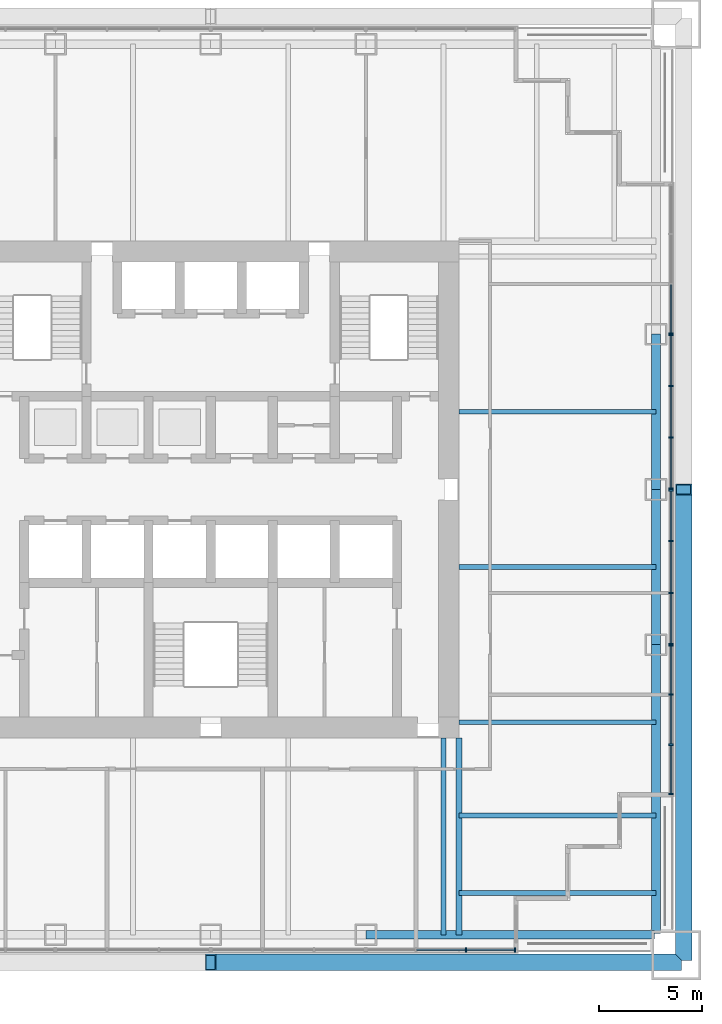
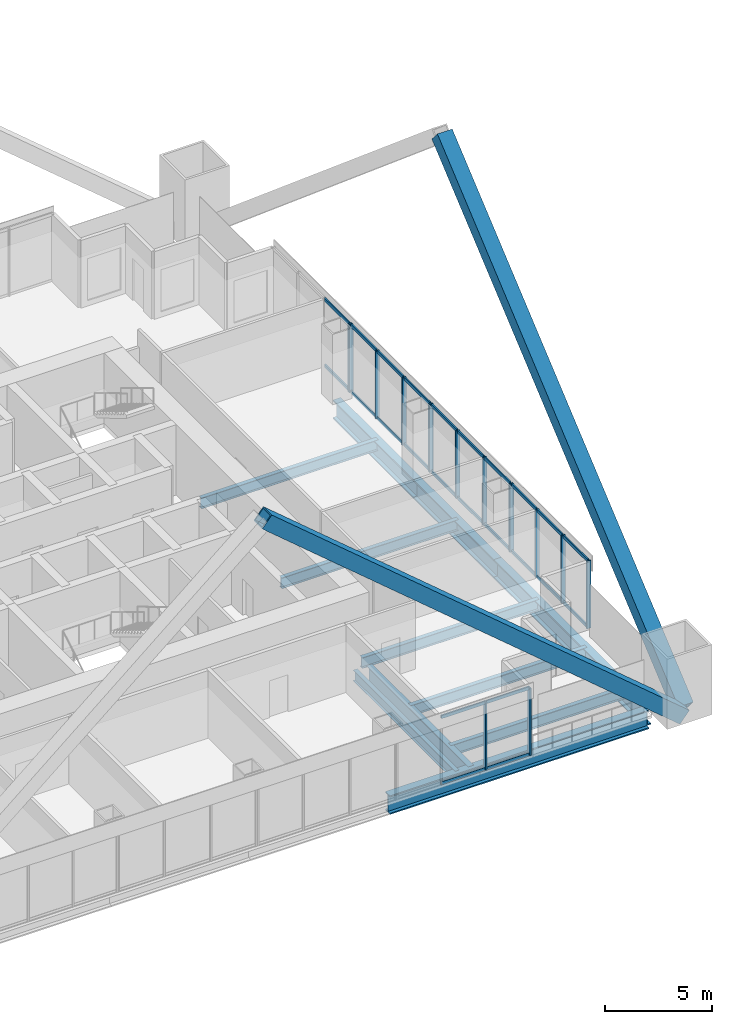
# One storey, part 4 of 14: 41 members, 11 beams, 5 elements without a shape of their own.
"""IFC4 building model written with IfcOpenShell, lengths in metres."""

from ifc_helpers import new_model, si_unit, direction, frame, origin, origin_2d, place, context, subcontext, project, spatial, rectangle, hollow_rectangle, i_section, extrude, material, material_profile, profile_set, type_object, element, aggregate, save


model = new_model("IFC4")

# Units and contexts
model_context = context("Model", 3, precision=1e-05, world=origin(), true_north=direction((0.0, 1.0)))
body_context = subcontext(model_context, "Body", "Model", "MODEL_VIEW")
ifc_project = project(units=[si_unit("LENGTHUNIT", "METRE"), si_unit("AREAUNIT", "SQUARE_METRE"), si_unit("VOLUMEUNIT", "CUBIC_METRE"), si_unit("PLANEANGLEUNIT", "RADIAN"), si_unit("MASSUNIT", "GRAM", prefix="KILO")], contexts=[model_context])

# Site, building, storey
site_placement = place(None, origin())
site = spatial("IfcSite", under=ifc_project, at=site_placement, CompositionType="ELEMENT")
building_placement = place(site_placement, origin())
building = spatial("IfcBuilding", under=site, at=building_placement, Name="Tarangal Relay Tower", CompositionType="ELEMENT")
storey_placement = place(building_placement, frame((0.0, 0.0, 177.89990234375)))
storey = spatial("IfcBuildingStorey", under=building, at=storey_placement, Name="L36", CompositionType="ELEMENT", Elevation=177.89990234375)

# Beams
ifc_material_1 = material(Name="Steel ASTM A992", Category="steel")
ifc_material_profile_1 = material_profile(ifc_material_1, i_section(OverallWidth=0.23046875, OverallDepth=0.6171875, WebThickness=0.01318359375, FlangeThickness=0.022216796875, at=origin_2d()), Name="W24X94")
ifc_profile_set_1 = profile_set([ifc_material_profile_1], Name="Steel ASTM A992")
beam_type_1 = type_object("IfcBeamType", Name="Corner beam W24X94", PredefinedType="JOIST", material=ifc_profile_set_1)
for number, where, z_axis, x_axis, name in (
    (1, (12.0, -15.75, -0.45849609375), (1.0, 0.0, 0.0), (0.0, 1.0, 0.0), "Corner beam CB14 E L36"),
    (2, (12.0, -19.5, -0.45849609375), (1.0, 0.0, 0.0), (0.0, 1.0, 0.0), "Corner beam CB14 E L36"),
):
    element("IfcBeam", number, at=place(storey_placement, frame(where, z_axis=z_axis, x_axis=x_axis)), inside=storey, type_object=beam_type_1, Name=name, PredefinedType="JOIST", context=body_context, shape_type="SweptSolid", body=[
        extrude(i_section(OverallWidth=0.23046875, OverallDepth=0.6171875, WebThickness=0.01318359375, FlangeThickness=0.022216796875, at=origin_2d()), origin(), (0.0, 0.0, 1.0), 9.514892578125),
    ])
ifc_material_profile_2 = material_profile(ifc_material_1, i_section(OverallWidth=0.307373046875, OverallDepth=0.9423828125, WebThickness=0.022216796875, FlangeThickness=0.039794921875, at=origin_2d()), Name="W36X232")
ifc_profile_set_2 = profile_set([ifc_material_profile_2], Name="Steel ASTM A992")
beam_type_2 = type_object("IfcBeamType", Name="Corner girder W36X232", PredefinedType="BEAM", material=ifc_profile_set_2)
beam_placement = place(storey_placement, frame((12.0, -12.0, -0.62109375), z_axis=(0.0, -1.0, 0.0), x_axis=(1.0, 0.0, 0.0)))
element("IfcBeam", 3, at=beam_placement, inside=storey, type_object=beam_type_2, Name="Corner girder CG4 E L36", PredefinedType="BEAM", context=body_context, shape_type="SweptSolid", body=[
    extrude(i_section(OverallWidth=0.307373046875, OverallDepth=0.9423828125, WebThickness=0.022216796875, FlangeThickness=0.039794921875, at=origin_2d()), origin(), (0.0, 0.0, 1.0), 9.514892578125),
])
ifc_material_profile_3 = material_profile(ifc_material_1, i_section(OverallWidth=0.41650390625, OverallDepth=1.0693359375, WebThickness=0.0390625, FlangeThickness=0.070068359375, at=origin_2d()), Name="W40X503")
ifc_profile_set_3 = profile_set([ifc_material_profile_3], Name="Steel ASTM A992")
beam_type_3 = type_object("IfcBeamType", Name="Edge girder W40X503", PredefinedType="SPANDREL", material=ifc_profile_set_3)
for number, where, z_axis, x_axis, name in (
    (4, (21.514892578125, 7.5, -0.6845703125), (0.0, -1.0, 0.0), (1.0, 0.0, 0.0), "Edge girder EG8 E L36"),
    (5, (21.514892578125, 0.0, -0.6845703125), (0.0, -1.0, 0.0), (1.0, 0.0, 0.0), "Edge girder EG8 E L36"),
):
    element("IfcBeam", number, at=place(storey_placement, frame(where, z_axis=z_axis, x_axis=x_axis)), inside=storey, type_object=beam_type_3, Name=name, PredefinedType="SPANDREL", context=body_context, shape_type="SweptSolid", body=[
        extrude(i_section(OverallWidth=0.41650390625, OverallDepth=1.0693359375, WebThickness=0.0390625, FlangeThickness=0.070068359375, at=origin_2d()), origin(), (0.0, 0.0, 1.0), 7.5),
    ])
for number, where, z_axis, x_axis, name in (
    (6, (21.514892578125, -7.5, -0.6845703125), (0.0, -1.0, 0.0), (1.0, 0.0, 0.0), "Edge girder EG8 E L36"),
    (7, (21.449951171875, -21.514892578125, -0.6845703125), (-1.0, 0.0, 0.0), (0.0, -1.0, 0.0), "Edge girder EG8 S L36"),
):
    element("IfcBeam", number, at=place(storey_placement, frame(where, z_axis=z_axis, x_axis=x_axis)), inside=storey, type_object=beam_type_3, Name=name, PredefinedType="SPANDREL", context=body_context, shape_type="SweptSolid", body=[
        extrude(i_section(OverallWidth=0.41650390625, OverallDepth=1.0693359375, WebThickness=0.0390625, FlangeThickness=0.070068359375, at=origin_2d()), origin(), (0.0, 0.0, 1.0), 13.949951171875),
    ])
ifc_material_profile_4 = material_profile(ifc_material_1, i_section(OverallWidth=0.22900390625, OverallDepth=0.612060546875, WebThickness=0.011962890625, FlangeThickness=0.01953125, at=origin_2d()), Name="W24X84")
ifc_profile_set_4 = profile_set([ifc_material_profile_4], Name="Steel ASTM A992")
beam_type_4 = type_object("IfcBeamType", Name="Floor beam W24X84", PredefinedType="BEAM", material=ifc_profile_set_4)
for number, where, z_axis, x_axis, name in (
    (8, (12.0, 3.75, -0.455810546875), (1.0, 0.0, 0.0), (0.0, 1.0, 0.0), "Floor beam RB12 E L36"),
    (9, (12.0, -3.75, -0.455810546875), (1.0, 0.0, 0.0), (0.0, 1.0, 0.0), "Floor beam RB12 E L36"),
    (10, (12.0, -11.25, -0.455810546875), (1.0, 0.0, 0.0), (0.0, 1.0, 0.0), "Floor beam RB12 E L36"),
    (11, (11.25, -12.0, -0.455810546875), (0.0, -1.0, 0.0), (1.0, 0.0, 0.0), "Floor beam RB12 S L36"),
):
    element("IfcBeam", number, at=place(storey_placement, frame(where, z_axis=z_axis, x_axis=x_axis)), inside=storey, type_object=beam_type_4, Name=name, PredefinedType="BEAM", context=body_context, shape_type="SweptSolid", body=[
        extrude(i_section(OverallWidth=0.22900390625, OverallDepth=0.612060546875, WebThickness=0.011962890625, FlangeThickness=0.01953125, at=origin_2d()), origin(), (0.0, 0.0, 1.0), 9.514892578125),
    ])

# Members
ifc_material_2 = material(Name="Steel ASTM A572 Grade 50", Category="steel")
ifc_material_profile_5 = material_profile(ifc_material_2, hollow_rectangle(XDim=0.800048828125, YDim=0.800048828125, WallThickness=0.06494140625, at=origin_2d()), Name="BOX800X800X65")
ifc_profile_set_5 = profile_set([ifc_material_profile_5], Name="Steel ASTM A572 Grade 50")
member_type_1 = type_object("IfcMemberType", Name="Mega brace BOX800X800X65", PredefinedType="BRACE", material=ifc_profile_set_5)
for number, where, z_axis, x_axis, name in (
    (12, (22.85009765625, -22.5, 0.0), (0.0, 0.764029915847, 0.645180817826), (-1.0, 0.0, 0.0), "Mega brace MB3 E face module 1"),
    (13, (22.5, -22.85009765625, 0.0), (-0.764029915847, 0.0, 0.645180817826), (0.0, -1.0, 0.0), "Mega brace MB3 S face module 1"),
):
    element("IfcMember", number, at=place(storey_placement, frame(where, z_axis=z_axis, x_axis=x_axis)), inside=storey, type_object=member_type_1, Name=name, PredefinedType="BRACE", context=body_context, shape_type="SweptSolid", body=[
        extrude(hollow_rectangle(XDim=0.800048828125, YDim=0.800048828125, WallThickness=0.06494140625, at=origin_2d()), origin(), (0.0, 0.0, 1.0), 29.44921875),
    ])

# Curtain wall, member
ifc_material_3 = material(Name="Unitised curtain wall, dark glass and black aluminium", Category="aluminium")
curtain_wall_type = type_object("IfcCurtainWallType", Name="Curtain wall CW-S", PredefinedType="USERDEFINED", material=ifc_material_3)
curtain_wall_1_placement = place(storey_placement, origin())
curtain_wall_1 = element("IfcCurtainWall", 14, at=curtain_wall_1_placement, inside=storey, type_object=curtain_wall_type, Name="Curtain wall CW-S E facade L36", ObjectType="UNITISED CURTAIN WALL", PredefinedType="USERDEFINED")
ifc_material_4 = material(Name="Black anodised aluminium mullion", Category="aluminium")
ifc_material_profile_6 = material_profile(ifc_material_4, rectangle(XDim=0.219970703125, YDim=0.074951171875, at=origin_2d()), Name="CW-SM 75X220")
ifc_profile_set_6 = profile_set([ifc_material_profile_6], Name="Black anodised aluminium mullion")
member_type_2 = type_object("IfcMemberType", Name="Mullion CW-S 75 x 220", PredefinedType="MULLION", material=ifc_profile_set_6)
member_1_placement = place(storey_placement, frame((22.25, 7.53759765625, 0.0), z_axis=(0.0, 0.0, 1.0), x_axis=(1.0, 0.0, 0.0)))
member_1 = element("IfcMember", 15, at=member_1_placement, type_object=member_type_2, Name="CW-S mullion 4", PredefinedType="MULLION", context=body_context, shape_type="SweptSolid", body=[
    extrude(rectangle(XDim=0.219970703125, YDim=0.074951171875, at=origin_2d()), origin(), (0.0, 0.0, 1.0), 3.85009765625),
])

# Curtain wall, members
curtain_wall_2_placement = place(storey_placement, origin())
curtain_wall_2 = element("IfcCurtainWall", 16, at=curtain_wall_2_placement, inside=storey, type_object=curtain_wall_type, Name="Curtain wall CW-S E facade L36", ObjectType="UNITISED CURTAIN WALL", PredefinedType="USERDEFINED")
member_2_placement = place(storey_placement, frame((22.25, 7.46240234375, 0.0), z_axis=(0.0, 0.0, 1.0), x_axis=(1.0, 0.0, 0.0)))
member_2 = element("IfcMember", 17, at=member_2_placement, type_object=member_type_2, Name="CW-S mullion 1", PredefinedType="MULLION", context=body_context, shape_type="SweptSolid", body=[
    extrude(rectangle(XDim=0.219970703125, YDim=0.074951171875, at=origin_2d()), origin(), (0.0, 0.0, 1.0), 3.85009765625),
])
member_3_placement = place(storey_placement, frame((22.25, 5.0, 0.0), z_axis=(0.0, 0.0, 1.0), x_axis=(1.0, 0.0, 0.0)))
member_3 = element("IfcMember", 18, at=member_3_placement, type_object=member_type_2, Name="CW-S mullion 2", PredefinedType="MULLION", context=body_context, shape_type="SweptSolid", body=[
    extrude(rectangle(XDim=0.219970703125, YDim=0.074951171875, at=origin_2d()), origin(), (0.0, 0.0, 1.0), 3.85009765625),
])
member_4_placement = place(storey_placement, frame((22.25, 2.5, 0.0), z_axis=(0.0, 0.0, 1.0), x_axis=(1.0, 0.0, 0.0)))
member_4 = element("IfcMember", 19, at=member_4_placement, type_object=member_type_2, Name="CW-S mullion 3", PredefinedType="MULLION", context=body_context, shape_type="SweptSolid", body=[
    extrude(rectangle(XDim=0.219970703125, YDim=0.074951171875, at=origin_2d()), origin(), (0.0, 0.0, 1.0), 3.85009765625),
])
member_5_placement = place(storey_placement, frame((22.25, 0.03759765625, 0.0), z_axis=(0.0, 0.0, 1.0), x_axis=(1.0, 0.0, 0.0)))
member_5 = element("IfcMember", 20, at=member_5_placement, type_object=member_type_2, Name="CW-S mullion 4", PredefinedType="MULLION", context=body_context, shape_type="SweptSolid", body=[
    extrude(rectangle(XDim=0.219970703125, YDim=0.074951171875, at=origin_2d()), origin(), (0.0, 0.0, 1.0), 3.85009765625),
])

curtain_wall_3_placement = place(storey_placement, origin())
curtain_wall_3 = element("IfcCurtainWall", 21, at=curtain_wall_3_placement, inside=storey, type_object=curtain_wall_type, Name="Curtain wall CW-S E facade L36", ObjectType="UNITISED CURTAIN WALL", PredefinedType="USERDEFINED")
member_6_placement = place(storey_placement, frame((22.25, -0.03759765625, 0.0), z_axis=(0.0, 0.0, 1.0), x_axis=(1.0, 0.0, 0.0)))
member_6 = element("IfcMember", 22, at=member_6_placement, type_object=member_type_2, Name="CW-S mullion 1", PredefinedType="MULLION", context=body_context, shape_type="SweptSolid", body=[
    extrude(rectangle(XDim=0.219970703125, YDim=0.074951171875, at=origin_2d()), origin(), (0.0, 0.0, 1.0), 3.85009765625),
])
member_7_placement = place(storey_placement, frame((22.25, -2.5, 0.0), z_axis=(0.0, 0.0, 1.0), x_axis=(1.0, 0.0, 0.0)))
member_7 = element("IfcMember", 23, at=member_7_placement, type_object=member_type_2, Name="CW-S mullion 2", PredefinedType="MULLION", context=body_context, shape_type="SweptSolid", body=[
    extrude(rectangle(XDim=0.219970703125, YDim=0.074951171875, at=origin_2d()), origin(), (0.0, 0.0, 1.0), 3.85009765625),
])
member_8_placement = place(storey_placement, frame((22.25, -5.0, 0.0), z_axis=(0.0, 0.0, 1.0), x_axis=(1.0, 0.0, 0.0)))
member_8 = element("IfcMember", 24, at=member_8_placement, type_object=member_type_2, Name="CW-S mullion 3", PredefinedType="MULLION", context=body_context, shape_type="SweptSolid", body=[
    extrude(rectangle(XDim=0.219970703125, YDim=0.074951171875, at=origin_2d()), origin(), (0.0, 0.0, 1.0), 3.85009765625),
])
member_9_placement = place(storey_placement, frame((22.25, -7.46240234375, 0.0), z_axis=(0.0, 0.0, 1.0), x_axis=(1.0, 0.0, 0.0)))
member_9 = element("IfcMember", 25, at=member_9_placement, type_object=member_type_2, Name="CW-S mullion 4", PredefinedType="MULLION", context=body_context, shape_type="SweptSolid", body=[
    extrude(rectangle(XDim=0.219970703125, YDim=0.074951171875, at=origin_2d()), origin(), (0.0, 0.0, 1.0), 3.85009765625),
])

curtain_wall_4_placement = place(storey_placement, origin())
curtain_wall_4 = element("IfcCurtainWall", 26, at=curtain_wall_4_placement, inside=storey, type_object=curtain_wall_type, Name="Curtain wall CW-S E facade L36", ObjectType="UNITISED CURTAIN WALL", PredefinedType="USERDEFINED")
member_10_placement = place(storey_placement, frame((22.25, -7.53759765625, 0.0), z_axis=(0.0, 0.0, 1.0), x_axis=(1.0, 0.0, 0.0)))
member_10 = element("IfcMember", 27, at=member_10_placement, type_object=member_type_2, Name="CW-S mullion 1", PredefinedType="MULLION", context=body_context, shape_type="SweptSolid", body=[
    extrude(rectangle(XDim=0.219970703125, YDim=0.074951171875, at=origin_2d()), origin(), (0.0, 0.0, 1.0), 3.85009765625),
])
member_11_placement = place(storey_placement, frame((22.25, -9.916748046875, 0.0), z_axis=(0.0, 0.0, 1.0), x_axis=(1.0, 0.0, 0.0)))
member_11 = element("IfcMember", 28, at=member_11_placement, type_object=member_type_2, Name="CW-S mullion 2", PredefinedType="MULLION", context=body_context, shape_type="SweptSolid", body=[
    extrude(rectangle(XDim=0.219970703125, YDim=0.074951171875, at=origin_2d()), origin(), (0.0, 0.0, 1.0), 3.85009765625),
])
member_12_placement = place(storey_placement, frame((22.25, -12.333251953125, 0.0), z_axis=(0.0, 0.0, 1.0), x_axis=(1.0, 0.0, 0.0)))
member_12 = element("IfcMember", 29, at=member_12_placement, type_object=member_type_2, Name="CW-S mullion 3", PredefinedType="MULLION", context=body_context, shape_type="SweptSolid", body=[
    extrude(rectangle(XDim=0.219970703125, YDim=0.074951171875, at=origin_2d()), origin(), (0.0, 0.0, 1.0), 3.85009765625),
])
member_13_placement = place(storey_placement, frame((22.25, -14.71240234375, 0.0), z_axis=(0.0, 0.0, 1.0), x_axis=(1.0, 0.0, 0.0)))
member_13 = element("IfcMember", 30, at=member_13_placement, type_object=member_type_2, Name="CW-S mullion 4", PredefinedType="MULLION", context=body_context, shape_type="SweptSolid", body=[
    extrude(rectangle(XDim=0.219970703125, YDim=0.074951171875, at=origin_2d()), origin(), (0.0, 0.0, 1.0), 3.85009765625),
])

curtain_wall_5_placement = place(storey_placement, origin())
curtain_wall_5 = element("IfcCurtainWall", 31, at=curtain_wall_5_placement, inside=storey, type_object=curtain_wall_type, Name="Curtain wall CW-S S facade L36", ObjectType="UNITISED CURTAIN WALL", PredefinedType="USERDEFINED")
member_14_placement = place(storey_placement, frame((14.71240234375, -22.25, 0.0), z_axis=(0.0, 0.0, 1.0), x_axis=(0.0, -1.0, 0.0)))
member_14 = element("IfcMember", 32, at=member_14_placement, type_object=member_type_2, Name="CW-S mullion 1", PredefinedType="MULLION", context=body_context, shape_type="SweptSolid", body=[
    extrude(rectangle(XDim=0.219970703125, YDim=0.074951171875, at=origin_2d()), origin(), (0.0, 0.0, 1.0), 3.85009765625),
])
member_15_placement = place(storey_placement, frame((12.333251953125, -22.25, 0.0), z_axis=(0.0, 0.0, 1.0), x_axis=(0.0, -1.0, 0.0)))
member_15 = element("IfcMember", 33, at=member_15_placement, type_object=member_type_2, Name="CW-S mullion 2", PredefinedType="MULLION", context=body_context, shape_type="SweptSolid", body=[
    extrude(rectangle(XDim=0.219970703125, YDim=0.074951171875, at=origin_2d()), origin(), (0.0, 0.0, 1.0), 3.85009765625),
])

# Member
ifc_material_5 = material(Name="Black anodised aluminium transom", Category="aluminium")
ifc_material_profile_7 = material_profile(ifc_material_5, rectangle(XDim=0.074951171875, YDim=0.179931640625, at=origin_2d()), Name="CW-ST 75X180")
ifc_profile_set_7 = profile_set([ifc_material_profile_7], Name="Black anodised aluminium transom")
member_type_3 = type_object("IfcMemberType", Name="Transom CW-S 75 x 180", PredefinedType="USERDEFINED", material=ifc_profile_set_7)
member_16_placement = place(storey_placement, frame((22.25, 9.879150390625, 0.03759765625), z_axis=(0.0, -1.0, 0.0), x_axis=(1.0, 0.0, 0.0)))
member_16 = element("IfcMember", 34, at=member_16_placement, type_object=member_type_3, Name="CW-S transom 3.1", ObjectType="TRANSOM", PredefinedType="USERDEFINED", context=body_context, shape_type="SweptSolid", body=[
    extrude(rectangle(XDim=0.074951171875, YDim=0.179931640625, at=origin_2d()), origin(), (0.0, 0.0, 1.0), 2.30419921875),
])

member_17_placement = place(storey_placement, frame((22.25, 9.879150390625, 3.8125), z_axis=(0.0, -1.0, 0.0), x_axis=(1.0, 0.0, 0.0)))
member_17 = element("IfcMember", 35, at=member_17_placement, type_object=member_type_3, Name="CW-S transom 3.2", ObjectType="TRANSOM", PredefinedType="USERDEFINED", context=body_context, shape_type="SweptSolid", body=[
    extrude(rectangle(XDim=0.074951171875, YDim=0.179931640625, at=origin_2d()), origin(), (0.0, 0.0, 1.0), 2.30419921875),
])

aggregate(curtain_wall_1, [member_1, member_16, member_17])

member_18_placement = place(storey_placement, frame((22.25, 7.425048828125, 0.03759765625), z_axis=(0.0, -1.0, 0.0), x_axis=(1.0, 0.0, 0.0)))
member_18 = element("IfcMember", 36, at=member_18_placement, type_object=member_type_3, Name="CW-S transom 1.1", ObjectType="TRANSOM", PredefinedType="USERDEFINED", context=body_context, shape_type="SweptSolid", body=[
    extrude(rectangle(XDim=0.074951171875, YDim=0.179931640625, at=origin_2d()), origin(), (0.0, 0.0, 1.0), 2.387451171875),
])

member_19_placement = place(storey_placement, frame((22.25, 7.425048828125, 3.8125), z_axis=(0.0, -1.0, 0.0), x_axis=(1.0, 0.0, 0.0)))
member_19 = element("IfcMember", 37, at=member_19_placement, type_object=member_type_3, Name="CW-S transom 1.2", ObjectType="TRANSOM", PredefinedType="USERDEFINED", context=body_context, shape_type="SweptSolid", body=[
    extrude(rectangle(XDim=0.074951171875, YDim=0.179931640625, at=origin_2d()), origin(), (0.0, 0.0, 1.0), 2.387451171875),
])

member_20_placement = place(storey_placement, frame((22.25, 4.96240234375, 0.03759765625), z_axis=(0.0, -1.0, 0.0), x_axis=(1.0, 0.0, 0.0)))
member_20 = element("IfcMember", 38, at=member_20_placement, type_object=member_type_3, Name="CW-S transom 2.1", ObjectType="TRANSOM", PredefinedType="USERDEFINED", context=body_context, shape_type="SweptSolid", body=[
    extrude(rectangle(XDim=0.074951171875, YDim=0.179931640625, at=origin_2d()), origin(), (0.0, 0.0, 1.0), 2.4248046875),
])

member_21_placement = place(storey_placement, frame((22.25, 4.96240234375, 3.8125), z_axis=(0.0, -1.0, 0.0), x_axis=(1.0, 0.0, 0.0)))
member_21 = element("IfcMember", 39, at=member_21_placement, type_object=member_type_3, Name="CW-S transom 2.2", ObjectType="TRANSOM", PredefinedType="USERDEFINED", context=body_context, shape_type="SweptSolid", body=[
    extrude(rectangle(XDim=0.074951171875, YDim=0.179931640625, at=origin_2d()), origin(), (0.0, 0.0, 1.0), 2.4248046875),
])

member_22_placement = place(storey_placement, frame((22.25, 2.46240234375, 0.03759765625), z_axis=(0.0, -1.0, 0.0), x_axis=(1.0, 0.0, 0.0)))
member_22 = element("IfcMember", 40, at=member_22_placement, type_object=member_type_3, Name="CW-S transom 3.1", ObjectType="TRANSOM", PredefinedType="USERDEFINED", context=body_context, shape_type="SweptSolid", body=[
    extrude(rectangle(XDim=0.074951171875, YDim=0.179931640625, at=origin_2d()), origin(), (0.0, 0.0, 1.0), 2.387451171875),
])

member_23_placement = place(storey_placement, frame((22.25, 2.46240234375, 3.8125), z_axis=(0.0, -1.0, 0.0), x_axis=(1.0, 0.0, 0.0)))
member_23 = element("IfcMember", 41, at=member_23_placement, type_object=member_type_3, Name="CW-S transom 3.2", ObjectType="TRANSOM", PredefinedType="USERDEFINED", context=body_context, shape_type="SweptSolid", body=[
    extrude(rectangle(XDim=0.074951171875, YDim=0.179931640625, at=origin_2d()), origin(), (0.0, 0.0, 1.0), 2.387451171875),
])

aggregate(curtain_wall_2, [member_2, member_3, member_4, member_5, member_18, member_19, member_20, member_21, member_22, member_23])

member_24_placement = place(storey_placement, frame((22.25, -0.074951171875, 0.03759765625), z_axis=(0.0, -1.0, 0.0), x_axis=(1.0, 0.0, 0.0)))
member_24 = element("IfcMember", 42, at=member_24_placement, type_object=member_type_3, Name="CW-S transom 1.1", ObjectType="TRANSOM", PredefinedType="USERDEFINED", context=body_context, shape_type="SweptSolid", body=[
    extrude(rectangle(XDim=0.074951171875, YDim=0.179931640625, at=origin_2d()), origin(), (0.0, 0.0, 1.0), 2.387451171875),
])

member_25_placement = place(storey_placement, frame((22.25, -0.074951171875, 3.8125), z_axis=(0.0, -1.0, 0.0), x_axis=(1.0, 0.0, 0.0)))
member_25 = element("IfcMember", 43, at=member_25_placement, type_object=member_type_3, Name="CW-S transom 1.2", ObjectType="TRANSOM", PredefinedType="USERDEFINED", context=body_context, shape_type="SweptSolid", body=[
    extrude(rectangle(XDim=0.074951171875, YDim=0.179931640625, at=origin_2d()), origin(), (0.0, 0.0, 1.0), 2.387451171875),
])

member_26_placement = place(storey_placement, frame((22.25, -2.53759765625, 0.03759765625), z_axis=(0.0, -1.0, 0.0), x_axis=(1.0, 0.0, 0.0)))
member_26 = element("IfcMember", 44, at=member_26_placement, type_object=member_type_3, Name="CW-S transom 2.1", ObjectType="TRANSOM", PredefinedType="USERDEFINED", context=body_context, shape_type="SweptSolid", body=[
    extrude(rectangle(XDim=0.074951171875, YDim=0.179931640625, at=origin_2d()), origin(), (0.0, 0.0, 1.0), 2.4248046875),
])

member_27_placement = place(storey_placement, frame((22.25, -2.53759765625, 3.8125), z_axis=(0.0, -1.0, 0.0), x_axis=(1.0, 0.0, 0.0)))
member_27 = element("IfcMember", 45, at=member_27_placement, type_object=member_type_3, Name="CW-S transom 2.2", ObjectType="TRANSOM", PredefinedType="USERDEFINED", context=body_context, shape_type="SweptSolid", body=[
    extrude(rectangle(XDim=0.074951171875, YDim=0.179931640625, at=origin_2d()), origin(), (0.0, 0.0, 1.0), 2.4248046875),
])

member_28_placement = place(storey_placement, frame((22.25, -5.03759765625, 0.03759765625), z_axis=(0.0, -1.0, 0.0), x_axis=(1.0, 0.0, 0.0)))
member_28 = element("IfcMember", 46, at=member_28_placement, type_object=member_type_3, Name="CW-S transom 3.1", ObjectType="TRANSOM", PredefinedType="USERDEFINED", context=body_context, shape_type="SweptSolid", body=[
    extrude(rectangle(XDim=0.074951171875, YDim=0.179931640625, at=origin_2d()), origin(), (0.0, 0.0, 1.0), 2.387451171875),
])

member_29_placement = place(storey_placement, frame((22.25, -5.03759765625, 3.8125), z_axis=(0.0, -1.0, 0.0), x_axis=(1.0, 0.0, 0.0)))
member_29 = element("IfcMember", 47, at=member_29_placement, type_object=member_type_3, Name="CW-S transom 3.2", ObjectType="TRANSOM", PredefinedType="USERDEFINED", context=body_context, shape_type="SweptSolid", body=[
    extrude(rectangle(XDim=0.074951171875, YDim=0.179931640625, at=origin_2d()), origin(), (0.0, 0.0, 1.0), 2.387451171875),
])

aggregate(curtain_wall_3, [member_6, member_7, member_8, member_9, member_24, member_25, member_26, member_27, member_28, member_29])

member_30_placement = place(storey_placement, frame((22.25, -7.574951171875, 0.03759765625), z_axis=(0.0, -1.0, 0.0), x_axis=(1.0, 0.0, 0.0)))
member_30 = element("IfcMember", 48, at=member_30_placement, type_object=member_type_3, Name="CW-S transom 1.1", ObjectType="TRANSOM", PredefinedType="USERDEFINED", context=body_context, shape_type="SweptSolid", body=[
    extrude(rectangle(XDim=0.074951171875, YDim=0.179931640625, at=origin_2d()), origin(), (0.0, 0.0, 1.0), 2.30419921875),
])

member_31_placement = place(storey_placement, frame((22.25, -7.574951171875, 3.8125), z_axis=(0.0, -1.0, 0.0), x_axis=(1.0, 0.0, 0.0)))
member_31 = element("IfcMember", 49, at=member_31_placement, type_object=member_type_3, Name="CW-S transom 1.2", ObjectType="TRANSOM", PredefinedType="USERDEFINED", context=body_context, shape_type="SweptSolid", body=[
    extrude(rectangle(XDim=0.074951171875, YDim=0.179931640625, at=origin_2d()), origin(), (0.0, 0.0, 1.0), 2.30419921875),
])

member_32_placement = place(storey_placement, frame((22.25, -9.9541015625, 0.03759765625), z_axis=(0.0, -1.0, 0.0), x_axis=(1.0, 0.0, 0.0)))
member_32 = element("IfcMember", 50, at=member_32_placement, type_object=member_type_3, Name="CW-S transom 2.1", ObjectType="TRANSOM", PredefinedType="USERDEFINED", context=body_context, shape_type="SweptSolid", body=[
    extrude(rectangle(XDim=0.074951171875, YDim=0.179931640625, at=origin_2d()), origin(), (0.0, 0.0, 1.0), 2.341796875),
])

member_33_placement = place(storey_placement, frame((22.25, -9.9541015625, 3.8125), z_axis=(0.0, -1.0, 0.0), x_axis=(1.0, 0.0, 0.0)))
member_33 = element("IfcMember", 51, at=member_33_placement, type_object=member_type_3, Name="CW-S transom 2.2", ObjectType="TRANSOM", PredefinedType="USERDEFINED", context=body_context, shape_type="SweptSolid", body=[
    extrude(rectangle(XDim=0.074951171875, YDim=0.179931640625, at=origin_2d()), origin(), (0.0, 0.0, 1.0), 2.341796875),
])

member_34_placement = place(storey_placement, frame((22.25, -12.370849609375, 0.03759765625), z_axis=(0.0, -1.0, 0.0), x_axis=(1.0, 0.0, 0.0)))
member_34 = element("IfcMember", 52, at=member_34_placement, type_object=member_type_3, Name="CW-S transom 3.1", ObjectType="TRANSOM", PredefinedType="USERDEFINED", context=body_context, shape_type="SweptSolid", body=[
    extrude(rectangle(XDim=0.074951171875, YDim=0.179931640625, at=origin_2d()), origin(), (0.0, 0.0, 1.0), 2.30419921875),
])

member_35_placement = place(storey_placement, frame((22.25, -12.370849609375, 3.8125), z_axis=(0.0, -1.0, 0.0), x_axis=(1.0, 0.0, 0.0)))
member_35 = element("IfcMember", 53, at=member_35_placement, type_object=member_type_3, Name="CW-S transom 3.2", ObjectType="TRANSOM", PredefinedType="USERDEFINED", context=body_context, shape_type="SweptSolid", body=[
    extrude(rectangle(XDim=0.074951171875, YDim=0.179931640625, at=origin_2d()), origin(), (0.0, 0.0, 1.0), 2.30419921875),
])

aggregate(curtain_wall_4, [member_10, member_11, member_12, member_13, member_30, member_31, member_32, member_33, member_34, member_35])

member_36_placement = place(storey_placement, frame((14.675048828125, -22.25, 0.03759765625), z_axis=(-1.0, 0.0, 0.0), x_axis=(0.0, -1.0, 0.0)))
member_36 = element("IfcMember", 54, at=member_36_placement, type_object=member_type_3, Name="CW-S transom 1.1", ObjectType="TRANSOM", PredefinedType="USERDEFINED", context=body_context, shape_type="SweptSolid", body=[
    extrude(rectangle(XDim=0.074951171875, YDim=0.179931640625, at=origin_2d()), origin(), (0.0, 0.0, 1.0), 2.30419921875),
])

member_37_placement = place(storey_placement, frame((14.675048828125, -22.25, 3.8125), z_axis=(-1.0, 0.0, 0.0), x_axis=(0.0, -1.0, 0.0)))
member_37 = element("IfcMember", 55, at=member_37_placement, type_object=member_type_3, Name="CW-S transom 1.2", ObjectType="TRANSOM", PredefinedType="USERDEFINED", context=body_context, shape_type="SweptSolid", body=[
    extrude(rectangle(XDim=0.074951171875, YDim=0.179931640625, at=origin_2d()), origin(), (0.0, 0.0, 1.0), 2.30419921875),
])

member_38_placement = place(storey_placement, frame((12.2958984375, -22.25, 0.03759765625), z_axis=(-1.0, 0.0, 0.0), x_axis=(0.0, -1.0, 0.0)))
member_38 = element("IfcMember", 56, at=member_38_placement, type_object=member_type_3, Name="CW-S transom 2.1", ObjectType="TRANSOM", PredefinedType="USERDEFINED", context=body_context, shape_type="SweptSolid", body=[
    extrude(rectangle(XDim=0.074951171875, YDim=0.179931640625, at=origin_2d()), origin(), (0.0, 0.0, 1.0), 2.341796875),
])

member_39_placement = place(storey_placement, frame((12.2958984375, -22.25, 3.8125), z_axis=(-1.0, 0.0, 0.0), x_axis=(0.0, -1.0, 0.0)))
member_39 = element("IfcMember", 57, at=member_39_placement, type_object=member_type_3, Name="CW-S transom 2.2", ObjectType="TRANSOM", PredefinedType="USERDEFINED", context=body_context, shape_type="SweptSolid", body=[
    extrude(rectangle(XDim=0.074951171875, YDim=0.179931640625, at=origin_2d()), origin(), (0.0, 0.0, 1.0), 2.341796875),
])

aggregate(curtain_wall_5, [member_14, member_15, member_36, member_37, member_38, member_39])

save(model, "model.ifc")
